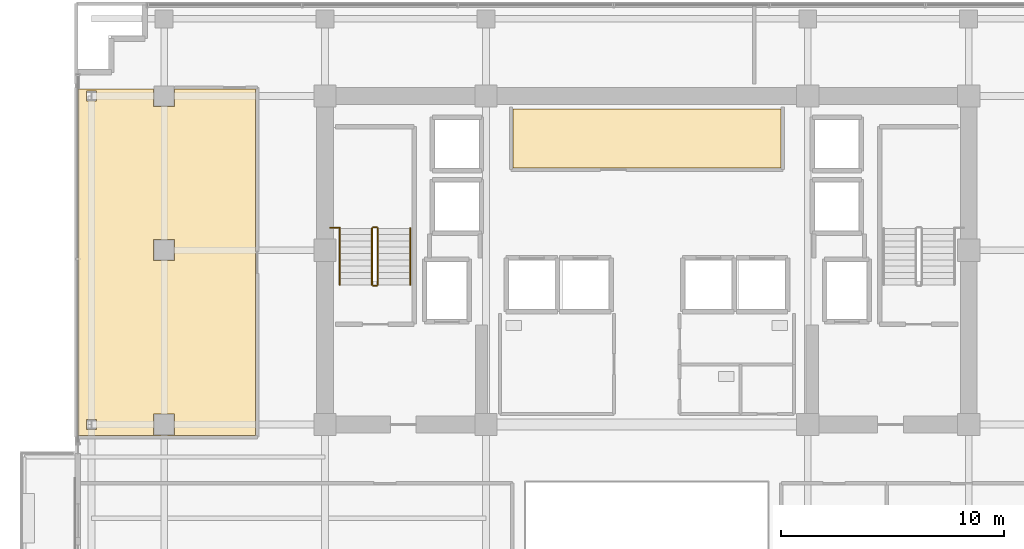
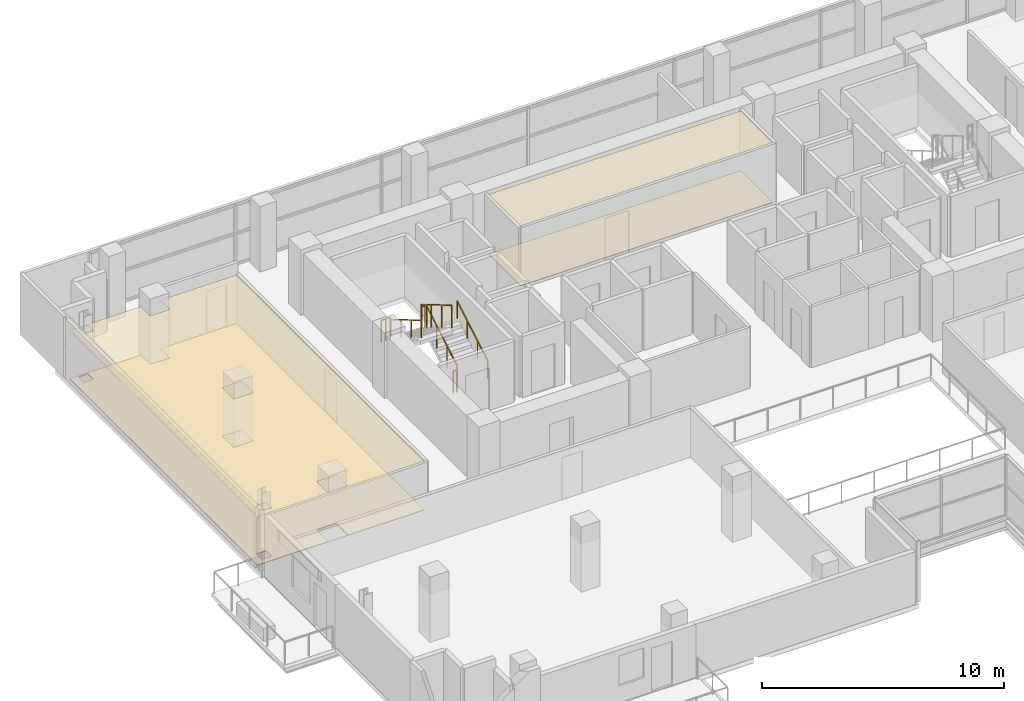
# One storey, part 20 of 23: 7 railings, 4 coverings.
"""IFC4 building model written with IfcOpenShell, lengths in metres."""

from ifc_helpers import new_model, si_unit, direction, frame, origin, origin_2d, place, context, subcontext, project, spatial, polyline, rectangle, outline, extrude, material, layer, layer_set, type_object, element, save


model = new_model("IFC4")

# Units and contexts
model_context = context("Model", 3, precision=1e-05, world=origin(), true_north=direction((0.0, 1.0)))
body_context = subcontext(model_context, "Body", "Model", "MODEL_VIEW")
ifc_project = project(units=[si_unit("LENGTHUNIT", "METRE"), si_unit("AREAUNIT", "SQUARE_METRE"), si_unit("VOLUMEUNIT", "CUBIC_METRE"), si_unit("PLANEANGLEUNIT", "RADIAN"), si_unit("MASSUNIT", "GRAM", prefix="KILO")], contexts=[model_context])

# Site, building, storey
site_placement = place(None, origin())
site = spatial("IfcSite", under=ifc_project, at=site_placement, CompositionType="ELEMENT")
building_placement = place(site_placement, origin())
building = spatial("IfcBuilding", under=site, at=building_placement, Name="Zarnakvel Exchange Tower", CompositionType="ELEMENT")
storey_placement = place(building_placement, frame((0.0, 0.0, 129.699951171875)))
storey = spatial("IfcBuildingStorey", under=building, at=storey_placement, Name="L36", CompositionType="ELEMENT", Elevation=129.699951171875)

# Coverings
ifc_material_1 = material(Name="Perforated Bronze Acoustic Metal Ceiling", Category="aluminium")
ifc_layer_1 = layer(ifc_material_1, 0.02001953125)
ifc_layer_set_1 = layer_set([ifc_layer_1], Name="Perforated Bronze Acoustic Metal Ceiling")
covering_type_1 = type_object("IfcCoveringType", Name="CLG-01", PredefinedType="CEILING", material=ifc_layer_set_1)
covering_1_placement = place(storey_placement, frame((0.0, 0.0, 3.01513671875)))
element("IfcCovering", 1, at=covering_1_placement, inside=storey, type_object=covering_type_1, Name="L36 Suspended Acoustic Ceiling (Market Data Archive Suite)", PredefinedType="CEILING", context=body_context, shape_type="SweptSolid", body=[
    extrude(outline(polyline([(-6.0, 12.919921875), (6.0, 12.919921875), (6.0, 10.280029296875), (-6.0, 10.280029296875), (-6.0, 12.919921875)])), origin(), (0.0, 0.0, 1.0), 0.02001953125),
])
covering_2_placement = place(storey_placement, frame((0.0, 0.0, 2.455078125)))
element("IfcCovering", 2, at=covering_2_placement, inside=storey, type_object=covering_type_1, Name="L36 Suspended Acoustic Ceiling (Executive Office)", PredefinedType="CEILING", context=body_context, shape_type="SweptSolid", body=[
    extrude(outline(polyline([(-25.449951171875, 13.800048828125), (-22.070068359375, 13.800048828125), (-22.070068359375, 13.030029296875), (-21.1298828125, 13.030029296875), (-21.1298828125, 13.800048828125), (-17.510009765625, 13.800048828125), (-17.510009765625, -1.68994140625), (-25.449951171875, -1.68994140625), (-25.449951171875, 13.800048828125)]), holes=[polyline([(-21.1298828125, 6.1298828125), (-21.1298828125, 7.070068359375), (-22.070068359375, 7.070068359375), (-22.070068359375, 6.1298828125), (-21.1298828125, 6.1298828125)]), polyline([(-21.1298828125, -1.669921875), (-21.1298828125, -0.72998046875), (-22.070068359375, -0.72998046875), (-22.070068359375, -1.669921875), (-21.1298828125, -1.669921875)]), polyline([(-24.6279296875, 13.276611328125), (-24.6279296875, 13.723388671875), (-25.072021484375, 13.723388671875), (-25.072021484375, 13.276611328125), (-24.6279296875, 13.276611328125)]), polyline([(-24.6279296875, -1.423583984375), (-24.6279296875, -0.9765625), (-25.072021484375, -0.9765625), (-25.072021484375, -1.423583984375), (-24.6279296875, -1.423583984375)])]), origin(), (0.0, 0.0, 1.0), 0.02001953125),
])
ifc_material_2 = material(Name="Heavy-Duty Raised Access Floor Panel", Category="steel")
ifc_layer_2 = layer(ifc_material_2, 0.034912109375)
ifc_layer_set_2 = layer_set([ifc_layer_2], Name="Heavy-Duty Raised Access Floor Panel")
covering_type_2 = type_object("IfcCoveringType", Name="FLR-02", PredefinedType="FLOORING", material=ifc_layer_set_2)
covering_3_placement = place(storey_placement, origin())
element("IfcCovering", 3, at=covering_3_placement, inside=storey, type_object=covering_type_2, Name="L36 Floor Finish (Market Data Archive Suite)", PredefinedType="FLOORING", context=body_context, shape_type="SweptSolid", body=[
    extrude(outline(polyline([(-6.0, 12.919921875), (6.0, 12.919921875), (6.0, 10.280029296875), (-6.0, 10.280029296875), (-6.0, 12.919921875)])), origin(), (0.0, 0.0, 1.0), 0.03515625),
])
covering_4_placement = place(storey_placement, origin())
element("IfcCovering", 4, at=covering_4_placement, inside=storey, type_object=covering_type_2, Name="L36 Floor Finish (Executive Office)", PredefinedType="FLOORING", context=body_context, shape_type="SweptSolid", body=[
    extrude(outline(polyline([(-25.449951171875, 13.800048828125), (-22.070068359375, 13.800048828125), (-22.070068359375, 13.030029296875), (-21.1298828125, 13.030029296875), (-21.1298828125, 13.800048828125), (-17.510009765625, 13.800048828125), (-17.510009765625, -1.68994140625), (-25.449951171875, -1.68994140625), (-25.449951171875, 13.800048828125)]), holes=[polyline([(-21.1298828125, 6.1298828125), (-21.1298828125, 7.070068359375), (-22.070068359375, 7.070068359375), (-22.070068359375, 6.1298828125), (-21.1298828125, 6.1298828125)]), polyline([(-21.1298828125, -1.669921875), (-21.1298828125, -0.72998046875), (-22.070068359375, -0.72998046875), (-22.070068359375, -1.669921875), (-21.1298828125, -1.669921875)]), polyline([(-24.6279296875, 13.276611328125), (-24.6279296875, 13.723388671875), (-25.072021484375, 13.723388671875), (-25.072021484375, 13.276611328125), (-24.6279296875, 13.276611328125)]), polyline([(-24.6279296875, -1.423583984375), (-24.6279296875, -0.9765625), (-25.072021484375, -0.9765625), (-25.072021484375, -1.423583984375), (-24.6279296875, -1.423583984375)])]), origin(), (0.0, 0.0, 1.0), 0.03515625),
])

# Railings
ifc_material_3 = material(Name="Brushed Stainless Steel", Category="steel")
railing_type_1 = type_object("IfcRailingType", Name="HR-01", PredefinedType="HANDRAIL", material=ifc_material_3)
railing_1_placement = place(storey_placement, frame((-10.590087890625, 5.050048828125, 0.1650390625)))
element("IfcRailing", 5, at=railing_1_placement, inside=storey, type_object=railing_type_1, Name="L36 ST-01 stair handrail 1", PredefinedType="HANDRAIL", context=body_context, shape_type="SweptSolid", body=[
    extrude(rectangle(XDim=0.048095703125, YDim=0.048095703125, at=origin_2d()), frame((0.0, 0.0, 0.8759765625), z_axis=(0.0, 0.86152411907, 0.507716645641), x_axis=(-1.0, 0.0, 0.0)), (0.0, 0.0, 1.0), 2.925048828125),
    extrude(rectangle(XDim=0.0419921875, YDim=0.0419921875, at=origin_2d()), origin(), (0.0, 0.0, 1.0), 0.851806640625),
    extrude(rectangle(XDim=0.0419921875, YDim=0.0419921875, at=origin_2d()), frame((0.0, 0.840087890625, 0.4951171875)), (0.0, 0.0, 1.0), 0.851806640625),
    extrude(rectangle(XDim=0.0419921875, YDim=0.0419921875, at=origin_2d()), frame((0.0, 1.679931640625, 0.989990234375)), (0.0, 0.0, 1.0), 0.851806640625),
    extrude(rectangle(XDim=0.0419921875, YDim=0.0419921875, at=origin_2d()), frame((0.0, 2.52001953125, 1.485107421875)), (0.0, 0.0, 1.0), 0.851806640625),
])
railing_2_placement = place(storey_placement, frame((-13.75, 7.570068359375, 1.81494140625)))
element("IfcRailing", 6, at=railing_2_placement, inside=storey, type_object=railing_type_1, Name="L36 ST-01 stair handrail 2", PredefinedType="HANDRAIL", context=body_context, shape_type="SweptSolid", body=[
    extrude(rectangle(XDim=0.048095703125, YDim=0.048095703125, at=origin_2d()), frame((0.0, 0.0, 0.8759765625), z_axis=(0.0, -0.86152411907, 0.507716645641), x_axis=(1.0, 0.0, 0.0)), (0.0, 0.0, 1.0), 2.925048828125),
    extrude(rectangle(XDim=0.0419921875, YDim=0.0419921875, at=origin_2d()), origin(), (0.0, 0.0, 1.0), 0.851806640625),
    extrude(rectangle(XDim=0.0419921875, YDim=0.0419921875, at=origin_2d()), frame((0.0, -0.840087890625, 0.4951171875)), (0.0, 0.0, 1.0), 0.851806640625),
    extrude(rectangle(XDim=0.0419921875, YDim=0.0419921875, at=origin_2d()), frame((0.0, -1.679931640625, 0.989990234375)), (0.0, 0.0, 1.0), 0.851806640625),
    extrude(rectangle(XDim=0.0419921875, YDim=0.0419921875, at=origin_2d()), frame((0.0, -2.52001953125, 1.485107421875)), (0.0, 0.0, 1.0), 0.851806640625),
])
ifc_material_4 = material(Name="Architectural Bronze Anodised Aluminium", Category="aluminium")
railing_type_2 = type_object("IfcRailingType", Name="SG-01", PredefinedType="GUARDRAIL", material=ifc_material_4)
railing_3_placement = place(storey_placement, frame((-12.0400390625, 5.050048828125, 0.1650390625)))
element("IfcRailing", 7, at=railing_3_placement, inside=storey, type_object=railing_type_2, Name="L36 ST-01 stair guard 1", PredefinedType="GUARDRAIL", context=body_context, shape_type="SweptSolid", body=[
    extrude(rectangle(XDim=0.048095703125, YDim=0.048095703125, at=origin_2d()), frame((0.0, 0.0, 1.1259765625), z_axis=(0.0, 0.86152411907, 0.507716645641), x_axis=(-1.0, 0.0, 0.0)), (0.0, 0.0, 1.0), 2.925048828125),
    extrude(rectangle(XDim=0.0419921875, YDim=0.0419921875, at=origin_2d()), origin(), (0.0, 0.0, 1.0), 1.101806640625),
    extrude(rectangle(XDim=0.0419921875, YDim=0.0419921875, at=origin_2d()), frame((0.0, 0.840087890625, 0.4951171875)), (0.0, 0.0, 1.0), 1.101806640625),
    extrude(rectangle(XDim=0.0419921875, YDim=0.0419921875, at=origin_2d()), frame((0.0, 1.679931640625, 0.989990234375)), (0.0, 0.0, 1.0), 1.101806640625),
    extrude(rectangle(XDim=0.0419921875, YDim=0.0419921875, at=origin_2d()), frame((0.0, 2.52001953125, 1.485107421875)), (0.0, 0.0, 1.0), 1.101806640625),
])
railing_4_placement = place(storey_placement, frame((-12.090087890625, 7.6201171875, 1.650146484375)))
element("IfcRailing", 8, at=railing_4_placement, inside=storey, type_object=railing_type_2, Name="L36 ST-01 stair guard 2", PredefinedType="GUARDRAIL", context=body_context, shape_type="SweptSolid", body=[
    extrude(rectangle(XDim=0.048095703125, YDim=0.048095703125, at=origin_2d()), frame((0.0, 0.0, 1.1259765625), z_axis=(-1.0, 0.0, 0.0), x_axis=(0.0, -1.0, 0.0)), (0.0, 0.0, 1.0), 0.159912109375),
    extrude(rectangle(XDim=0.0419921875, YDim=0.0419921875, at=origin_2d()), origin(), (0.0, 0.0, 1.0), 1.101806640625),
    extrude(rectangle(XDim=0.0419921875, YDim=0.0419921875, at=origin_2d()), frame((-0.159912109375, 0.0, 0.0)), (0.0, 0.0, 1.0), 1.101806640625),
])
railing_5_placement = place(storey_placement, frame((-12.300048828125, 7.570068359375, 1.81494140625)))
element("IfcRailing", 9, at=railing_5_placement, inside=storey, type_object=railing_type_2, Name="L36 ST-01 stair guard 3", PredefinedType="GUARDRAIL", context=body_context, shape_type="SweptSolid", body=[
    extrude(rectangle(XDim=0.048095703125, YDim=0.048095703125, at=origin_2d()), frame((0.0, 0.0, 1.1259765625), z_axis=(0.0, -0.86152411907, 0.507716645641), x_axis=(1.0, 0.0, 0.0)), (0.0, 0.0, 1.0), 2.925048828125),
    extrude(rectangle(XDim=0.0419921875, YDim=0.0419921875, at=origin_2d()), origin(), (0.0, 0.0, 1.0), 1.101806640625),
    extrude(rectangle(XDim=0.0419921875, YDim=0.0419921875, at=origin_2d()), frame((0.0, -0.840087890625, 0.4951171875)), (0.0, 0.0, 1.0), 1.101806640625),
    extrude(rectangle(XDim=0.0419921875, YDim=0.0419921875, at=origin_2d()), frame((0.0, -1.679931640625, 0.989990234375)), (0.0, 0.0, 1.0), 1.101806640625),
    extrude(rectangle(XDim=0.0419921875, YDim=0.0419921875, at=origin_2d()), frame((0.0, -2.52001953125, 1.485107421875)), (0.0, 0.0, 1.0), 1.101806640625),
])
railing_6_placement = place(storey_placement, frame((-12.090087890625, 5.0, 0.0)))
element("IfcRailing", 10, at=railing_6_placement, inside=storey, type_object=railing_type_2, Name="L36 ST-01 stair guard 4", PredefinedType="GUARDRAIL", context=body_context, shape_type="SweptSolid", body=[
    extrude(rectangle(XDim=0.048095703125, YDim=0.048095703125, at=origin_2d()), frame((0.0, 0.0, 1.1259765625), z_axis=(-1.0, 0.0, 0.0), x_axis=(0.0, -1.0, 0.0)), (0.0, 0.0, 1.0), 0.159912109375),
    extrude(rectangle(XDim=0.0419921875, YDim=0.0419921875, at=origin_2d()), origin(), (0.0, 0.0, 1.0), 1.101806640625),
    extrude(rectangle(XDim=0.0419921875, YDim=0.0419921875, at=origin_2d()), frame((-0.159912109375, 0.0, 0.0)), (0.0, 0.0, 1.0), 1.101806640625),
])
railing_7_placement = place(storey_placement, frame((-14.179931640625, 7.610107421875, 1.650146484375)))
element("IfcRailing", 11, at=railing_7_placement, inside=storey, type_object=railing_type_2, Name="L36 ST-01 Landing Slot Guardrail", PredefinedType="GUARDRAIL", context=body_context, shape_type="SweptSolid", body=[
    extrude(rectangle(XDim=0.048095703125, YDim=0.048095703125, at=origin_2d()), frame((0.0, 0.0, 1.1259765625), z_axis=(1.0, 0.0, 0.0), x_axis=(0.0, 1.0, 0.0)), (0.0, 0.0, 1.0), 0.429931640625),
    extrude(rectangle(XDim=0.0419921875, YDim=0.0419921875, at=origin_2d()), origin(), (0.0, 0.0, 1.0), 1.101806640625),
    extrude(rectangle(XDim=0.0419921875, YDim=0.0419921875, at=origin_2d()), frame((0.21484375, 0.0, 0.0)), (0.0, 0.0, 1.0), 1.101806640625),
    extrude(rectangle(XDim=0.0419921875, YDim=0.0419921875, at=origin_2d()), frame((0.429931640625, 0.0, 0.0)), (0.0, 0.0, 1.0), 1.101806640625),
])

save(model, "model.ifc")
